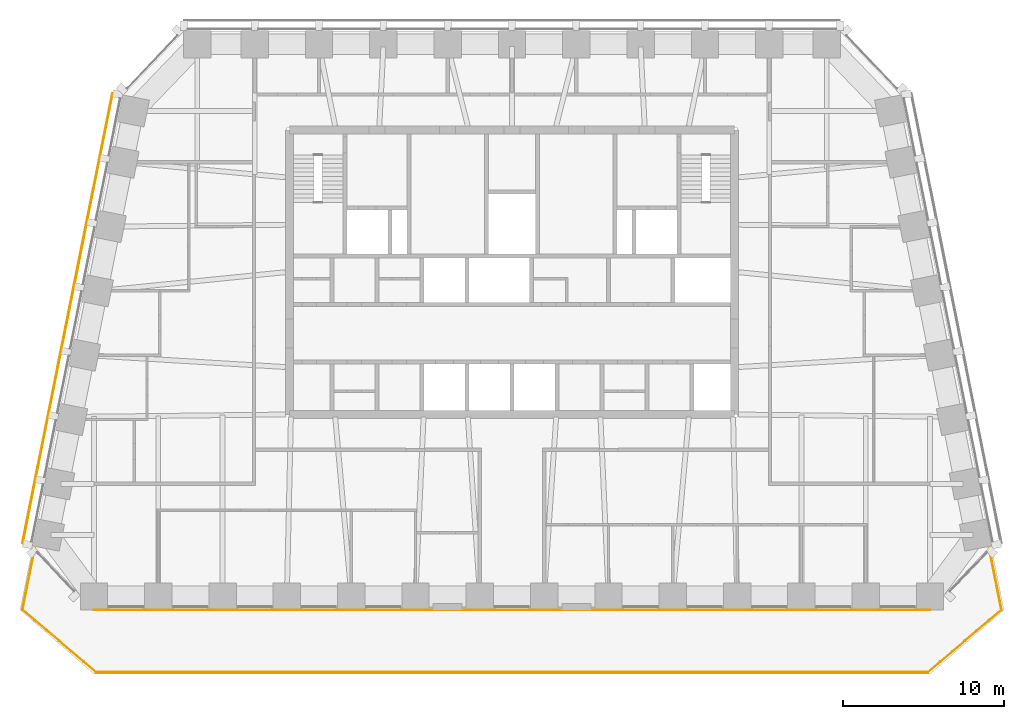
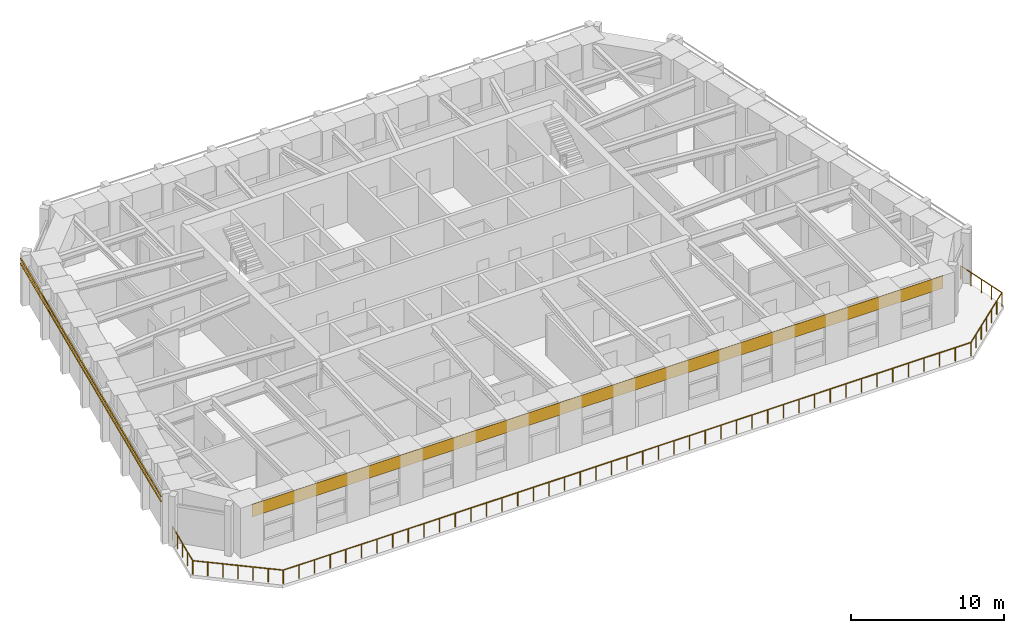
# One storey, part 9 of 11: 2 shading devices, 1 covering, 1 railing.
"""IFC4 building model written with IfcOpenShell, lengths in metres."""

from ifc_helpers import new_model, si_unit, direction, frame, origin, origin_2d, place, context, subcontext, project, spatial, rectangle, circle, extrude, material, layer, layer_set, material_profile, profile_set, type_object, element, save


model = new_model("IFC4")

# Units and contexts
model_context = context("Model", 3, precision=1e-05, world=origin(), true_north=direction((0.0, 1.0)))
body_context = subcontext(model_context, "Body", "Model", "MODEL_VIEW")
ifc_project = project(units=[si_unit("LENGTHUNIT", "METRE"), si_unit("AREAUNIT", "SQUARE_METRE"), si_unit("VOLUMEUNIT", "CUBIC_METRE"), si_unit("PLANEANGLEUNIT", "RADIAN"), si_unit("MASSUNIT", "GRAM", prefix="KILO")], contexts=[model_context])

# Site, building, storey
site_placement = place(None, origin())
site = spatial("IfcSite", under=ifc_project, at=site_placement, CompositionType="ELEMENT")
building_placement = place(site_placement, origin())
building = spatial("IfcBuilding", under=site, at=building_placement, Name="Isbrekke Arena Tower", CompositionType="ELEMENT")
storey_placement = place(building_placement, frame((0.0, 0.0, 284.0)))
storey = spatial("IfcBuildingStorey", under=building, at=storey_placement, Name="L66", CompositionType="ELEMENT", Elevation=284.0)

# Shading devices
ifc_material_1 = material(Name="Terracotta", Category="masonry")
ifc_material_profile = material_profile(ifc_material_1, rectangle(XDim=0.06005859375, YDim=0.06005859375, at=origin_2d()), Name="BAGUETTE 60X60")
ifc_profile_set = profile_set([ifc_material_profile], Name="Terracotta")
shading_device_type = type_object("IfcShadingDeviceType", Name="BG1 TERRACOTTA BAGUETTE 60 x 60", PredefinedType="USERDEFINED", material=ifc_profile_set)
for number, where, z_axis, x_axis, name in (
    (1, (-24.84228515625, 26.12841796875, 3.280029296875), (-0.196119423591, -0.980580017995, 0.0), (0.980580017995, -0.196119423591, 0.0), "BG1 terracotta baguette W1 L66"),
    (2, (-24.84228515625, 26.12841796875, 3.679931640625), (-0.196119423591, -0.980580017995, 0.0), (0.980580017995, -0.196119423591, 0.0), "BG1 terracotta baguette W2 L66"),
):
    element("IfcShadingDevice", number, at=place(storey_placement, frame(where, z_axis=z_axis, x_axis=x_axis)), inside=storey, type_object=shading_device_type, Name=name, ObjectType="TERRACOTTA BAGUETTE", PredefinedType="USERDEFINED", context=body_context, shape_type="SweptSolid", body=[
        extrude(rectangle(XDim=0.06005859375, YDim=0.06005859375, at=origin_2d()), origin(), (0.0, 0.0, 1.0), 28.554443359375),
    ])

# Covering
ifc_material_2 = material(Name="Pre-patinated copper sheet", Category="metal")
ifc_layer = layer(ifc_material_2, 0.02001953125)
ifc_layer_set = layer_set([ifc_layer], Name="CL1 COPPER CLADDING")
covering_type = type_object("IfcCoveringType", Name="CL1 COPPER CLADDING", PredefinedType="CLADDING", material=ifc_layer_set)
covering_placement = place(storey_placement, frame((0.0, -6.010009765625, 3.0), z_axis=(0.0, 0.0, 1.0), x_axis=(1.0, 0.0, 0.0)))
element("IfcCovering", 3, at=covering_placement, inside=storey, type_object=covering_type, Name="CL1 copper cladding L66", PredefinedType="CLADDING", context=body_context, shape_type="SweptSolid", body=[
    extrude(rectangle(XDim=52.0, YDim=0.02001953125, at=origin_2d()), origin(), (0.0, 0.0, 1.0), 1.0),
])

# Railing
ifc_material_3 = material(Name="Galvanised steel guard", Category="steel")
railing_type = type_object("IfcRailingType", Name="GR2 TERRACE GUARD 1100", PredefinedType="GUARDRAIL", material=ifc_material_3)
railing_placement = place(storey_placement, frame((-29.65087890625, -2.0, 0.0)))
element("IfcRailing", 4, at=railing_placement, inside=storey, type_object=railing_type, Name="GR2 terrace guard L66", PredefinedType="GUARDRAIL", context=body_context, shape_type="SweptSolid", body=[
    extrude(circle(Radius=0.02392578125, at=origin_2d()), frame((0.0, 0.0, 1.076171875), z_axis=(-0.195206624513, -0.98076213923, 0.0), x_axis=(0.98076213923, -0.195206624513, 0.0)), (0.0, 0.0, 1.0), 4.078369140625),
    extrude(circle(Radius=0.02392578125, at=origin_2d()), frame((-0.796142578125, -4.0, 1.076171875), z_axis=(0.762801029577, -0.646633272633, 0.0), x_axis=(0.646633272633, 0.762801029577, 0.0)), (0.0, 0.0, 1.0), 6.000244140625),
    extrude(circle(Radius=0.02392578125, at=origin_2d()), frame((3.78076171875, -7.8798828125, 1.076171875), z_axis=(1.0, 0.0, 0.0), x_axis=(0.0, 1.0, 0.0)), (0.0, 0.0, 1.0), 51.740234375),
    extrude(circle(Radius=0.02392578125, at=origin_2d()), frame((55.52099609375, -7.8798828125, 1.076171875), z_axis=(0.762801029577, 0.646633272633, 0.0), x_axis=(-0.646633272633, 0.762801029577, 0.0)), (0.0, 0.0, 1.0), 6.000244140625),
    extrude(circle(Radius=0.02392578125, at=origin_2d()), frame((60.097900390625, -4.0, 1.076171875), z_axis=(-0.195206624513, 0.98076213923, 0.0), x_axis=(-0.98076213923, -0.195206624513, 0.0)), (0.0, 0.0, 1.0), 4.078369140625),
    extrude(circle(Radius=0.02099609375, at=origin_2d()), origin(), (0.0, 0.0, 1.0), 1.052001953125),
    extrude(circle(Radius=0.02099609375, at=origin_2d()), frame((-0.198974609375, -1.0, 0.0)), (0.0, 0.0, 1.0), 1.052001953125),
    extrude(circle(Radius=0.02099609375, at=origin_2d()), frame((-0.39794921875, -2.0, 0.0)), (0.0, 0.0, 1.0), 1.052001953125),
    extrude(circle(Radius=0.02099609375, at=origin_2d()), frame((-0.59716796875, -3.0, 0.0)), (0.0, 0.0, 1.0), 1.052001953125),
    extrude(circle(Radius=0.02099609375, at=origin_2d()), frame((-0.796142578125, -4.0, 0.0)), (0.0, 0.0, 1.0), 1.052001953125),
    extrude(circle(Radius=0.02099609375, at=origin_2d()), frame((-0.033203125, -4.646728515625, 0.0)), (0.0, 0.0, 1.0), 1.052001953125),
    extrude(circle(Radius=0.02099609375, at=origin_2d()), frame((0.7294921875, -5.293212890625, 0.0)), (0.0, 0.0, 1.0), 1.052001953125),
    extrude(circle(Radius=0.02099609375, at=origin_2d()), frame((1.4921875, -5.93994140625, 0.0)), (0.0, 0.0, 1.0), 1.052001953125),
    extrude(circle(Radius=0.02099609375, at=origin_2d()), frame((2.255126953125, -6.586669921875, 0.0)), (0.0, 0.0, 1.0), 1.052001953125),
    extrude(circle(Radius=0.02099609375, at=origin_2d()), frame((3.01806640625, -7.233154296875, 0.0)), (0.0, 0.0, 1.0), 1.052001953125),
    extrude(circle(Radius=0.02099609375, at=origin_2d()), frame((3.78076171875, -7.8798828125, 0.0)), (0.0, 0.0, 1.0), 1.052001953125),
    extrude(circle(Radius=0.02099609375, at=origin_2d()), frame((4.956787109375, -7.8798828125, 0.0)), (0.0, 0.0, 1.0), 1.052001953125),
    extrude(circle(Radius=0.02099609375, at=origin_2d()), frame((6.132568359375, -7.8798828125, 0.0)), (0.0, 0.0, 1.0), 1.052001953125),
    extrude(circle(Radius=0.02099609375, at=origin_2d()), frame((7.30859375, -7.8798828125, 0.0)), (0.0, 0.0, 1.0), 1.052001953125),
    extrude(circle(Radius=0.02099609375, at=origin_2d()), frame((8.484375, -7.8798828125, 0.0)), (0.0, 0.0, 1.0), 1.052001953125),
    extrude(circle(Radius=0.02099609375, at=origin_2d()), frame((9.660400390625, -7.8798828125, 0.0)), (0.0, 0.0, 1.0), 1.052001953125),
    extrude(circle(Radius=0.02099609375, at=origin_2d()), frame((10.836181640625, -7.8798828125, 0.0)), (0.0, 0.0, 1.0), 1.052001953125),
    extrude(circle(Radius=0.02099609375, at=origin_2d()), frame((12.01220703125, -7.8798828125, 0.0)), (0.0, 0.0, 1.0), 1.052001953125),
    extrude(circle(Radius=0.02099609375, at=origin_2d()), frame((13.18798828125, -7.8798828125, 0.0)), (0.0, 0.0, 1.0), 1.052001953125),
    extrude(circle(Radius=0.02099609375, at=origin_2d()), frame((14.364013671875, -7.8798828125, 0.0)), (0.0, 0.0, 1.0), 1.052001953125),
    extrude(circle(Radius=0.02099609375, at=origin_2d()), frame((15.539794921875, -7.8798828125, 0.0)), (0.0, 0.0, 1.0), 1.052001953125),
    extrude(circle(Radius=0.02099609375, at=origin_2d()), frame((16.7158203125, -7.8798828125, 0.0)), (0.0, 0.0, 1.0), 1.052001953125),
    extrude(circle(Radius=0.02099609375, at=origin_2d()), frame((17.891845703125, -7.8798828125, 0.0)), (0.0, 0.0, 1.0), 1.052001953125),
    extrude(circle(Radius=0.02099609375, at=origin_2d()), frame((19.067626953125, -7.8798828125, 0.0)), (0.0, 0.0, 1.0), 1.052001953125),
    extrude(circle(Radius=0.02099609375, at=origin_2d()), frame((20.24365234375, -7.8798828125, 0.0)), (0.0, 0.0, 1.0), 1.052001953125),
    extrude(circle(Radius=0.02099609375, at=origin_2d()), frame((21.41943359375, -7.8798828125, 0.0)), (0.0, 0.0, 1.0), 1.052001953125),
    extrude(circle(Radius=0.02099609375, at=origin_2d()), frame((22.595458984375, -7.8798828125, 0.0)), (0.0, 0.0, 1.0), 1.052001953125),
    extrude(circle(Radius=0.02099609375, at=origin_2d()), frame((23.771240234375, -7.8798828125, 0.0)), (0.0, 0.0, 1.0), 1.052001953125),
    extrude(circle(Radius=0.02099609375, at=origin_2d()), frame((24.947265625, -7.8798828125, 0.0)), (0.0, 0.0, 1.0), 1.052001953125),
    extrude(circle(Radius=0.02099609375, at=origin_2d()), frame((26.123046875, -7.8798828125, 0.0)), (0.0, 0.0, 1.0), 1.052001953125),
    extrude(circle(Radius=0.02099609375, at=origin_2d()), frame((27.299072265625, -7.8798828125, 0.0)), (0.0, 0.0, 1.0), 1.052001953125),
    extrude(circle(Radius=0.02099609375, at=origin_2d()), frame((28.474853515625, -7.8798828125, 0.0)), (0.0, 0.0, 1.0), 1.052001953125),
    extrude(circle(Radius=0.02099609375, at=origin_2d()), frame((29.65087890625, -7.8798828125, 0.0)), (0.0, 0.0, 1.0), 1.052001953125),
    extrude(circle(Radius=0.02099609375, at=origin_2d()), frame((30.826904296875, -7.8798828125, 0.0)), (0.0, 0.0, 1.0), 1.052001953125),
    extrude(circle(Radius=0.02099609375, at=origin_2d()), frame((32.002685546875, -7.8798828125, 0.0)), (0.0, 0.0, 1.0), 1.052001953125),
    extrude(circle(Radius=0.02099609375, at=origin_2d()), frame((33.1787109375, -7.8798828125, 0.0)), (0.0, 0.0, 1.0), 1.052001953125),
    extrude(circle(Radius=0.02099609375, at=origin_2d()), frame((34.3544921875, -7.8798828125, 0.0)), (0.0, 0.0, 1.0), 1.052001953125),
    extrude(circle(Radius=0.02099609375, at=origin_2d()), frame((35.530517578125, -7.8798828125, 0.0)), (0.0, 0.0, 1.0), 1.052001953125),
    extrude(circle(Radius=0.02099609375, at=origin_2d()), frame((36.706298828125, -7.8798828125, 0.0)), (0.0, 0.0, 1.0), 1.052001953125),
    extrude(circle(Radius=0.02099609375, at=origin_2d()), frame((37.88232421875, -7.8798828125, 0.0)), (0.0, 0.0, 1.0), 1.052001953125),
    extrude(circle(Radius=0.02099609375, at=origin_2d()), frame((39.05810546875, -7.8798828125, 0.0)), (0.0, 0.0, 1.0), 1.052001953125),
    extrude(circle(Radius=0.02099609375, at=origin_2d()), frame((40.234130859375, -7.8798828125, 0.0)), (0.0, 0.0, 1.0), 1.052001953125),
    extrude(circle(Radius=0.02099609375, at=origin_2d()), frame((41.409912109375, -7.8798828125, 0.0)), (0.0, 0.0, 1.0), 1.052001953125),
    extrude(circle(Radius=0.02099609375, at=origin_2d()), frame((42.5859375, -7.8798828125, 0.0)), (0.0, 0.0, 1.0), 1.052001953125),
    extrude(circle(Radius=0.02099609375, at=origin_2d()), frame((43.761962890625, -7.8798828125, 0.0)), (0.0, 0.0, 1.0), 1.052001953125),
    extrude(circle(Radius=0.02099609375, at=origin_2d()), frame((44.937744140625, -7.8798828125, 0.0)), (0.0, 0.0, 1.0), 1.052001953125),
    extrude(circle(Radius=0.02099609375, at=origin_2d()), frame((46.11376953125, -7.8798828125, 0.0)), (0.0, 0.0, 1.0), 1.052001953125),
    extrude(circle(Radius=0.02099609375, at=origin_2d()), frame((47.28955078125, -7.8798828125, 0.0)), (0.0, 0.0, 1.0), 1.052001953125),
    extrude(circle(Radius=0.02099609375, at=origin_2d()), frame((48.465576171875, -7.8798828125, 0.0)), (0.0, 0.0, 1.0), 1.052001953125),
    extrude(circle(Radius=0.02099609375, at=origin_2d()), frame((49.641357421875, -7.8798828125, 0.0)), (0.0, 0.0, 1.0), 1.052001953125),
    extrude(circle(Radius=0.02099609375, at=origin_2d()), frame((50.8173828125, -7.8798828125, 0.0)), (0.0, 0.0, 1.0), 1.052001953125),
    extrude(circle(Radius=0.02099609375, at=origin_2d()), frame((51.9931640625, -7.8798828125, 0.0)), (0.0, 0.0, 1.0), 1.052001953125),
    extrude(circle(Radius=0.02099609375, at=origin_2d()), frame((53.169189453125, -7.8798828125, 0.0)), (0.0, 0.0, 1.0), 1.052001953125),
    extrude(circle(Radius=0.02099609375, at=origin_2d()), frame((54.344970703125, -7.8798828125, 0.0)), (0.0, 0.0, 1.0), 1.052001953125),
    extrude(circle(Radius=0.02099609375, at=origin_2d()), frame((55.52099609375, -7.8798828125, 0.0)), (0.0, 0.0, 1.0), 1.052001953125),
    extrude(circle(Radius=0.02099609375, at=origin_2d()), frame((56.28369140625, -7.233154296875, 0.0)), (0.0, 0.0, 1.0), 1.052001953125),
    extrude(circle(Radius=0.02099609375, at=origin_2d()), frame((57.046630859375, -6.586669921875, 0.0)), (0.0, 0.0, 1.0), 1.052001953125),
    extrude(circle(Radius=0.02099609375, at=origin_2d()), frame((57.8095703125, -5.93994140625, 0.0)), (0.0, 0.0, 1.0), 1.052001953125),
    extrude(circle(Radius=0.02099609375, at=origin_2d()), frame((58.572265625, -5.293212890625, 0.0)), (0.0, 0.0, 1.0), 1.052001953125),
    extrude(circle(Radius=0.02099609375, at=origin_2d()), frame((59.3349609375, -4.646728515625, 0.0)), (0.0, 0.0, 1.0), 1.052001953125),
    extrude(circle(Radius=0.02099609375, at=origin_2d()), frame((60.097900390625, -4.0, 0.0)), (0.0, 0.0, 1.0), 1.052001953125),
    extrude(circle(Radius=0.02099609375, at=origin_2d()), frame((59.89892578125, -3.0, 0.0)), (0.0, 0.0, 1.0), 1.052001953125),
    extrude(circle(Radius=0.02099609375, at=origin_2d()), frame((59.69970703125, -2.0, 0.0)), (0.0, 0.0, 1.0), 1.052001953125),
    extrude(circle(Radius=0.02099609375, at=origin_2d()), frame((59.500732421875, -1.0, 0.0)), (0.0, 0.0, 1.0), 1.052001953125),
    extrude(circle(Radius=0.02099609375, at=origin_2d()), frame((59.3017578125, 0.0, 0.0)), (0.0, 0.0, 1.0), 1.052001953125),
])

save(model, "model.ifc")
